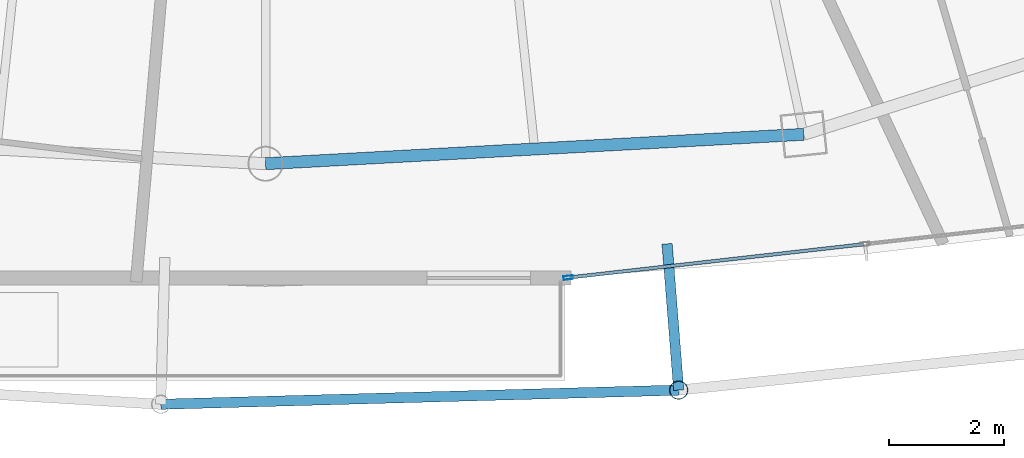
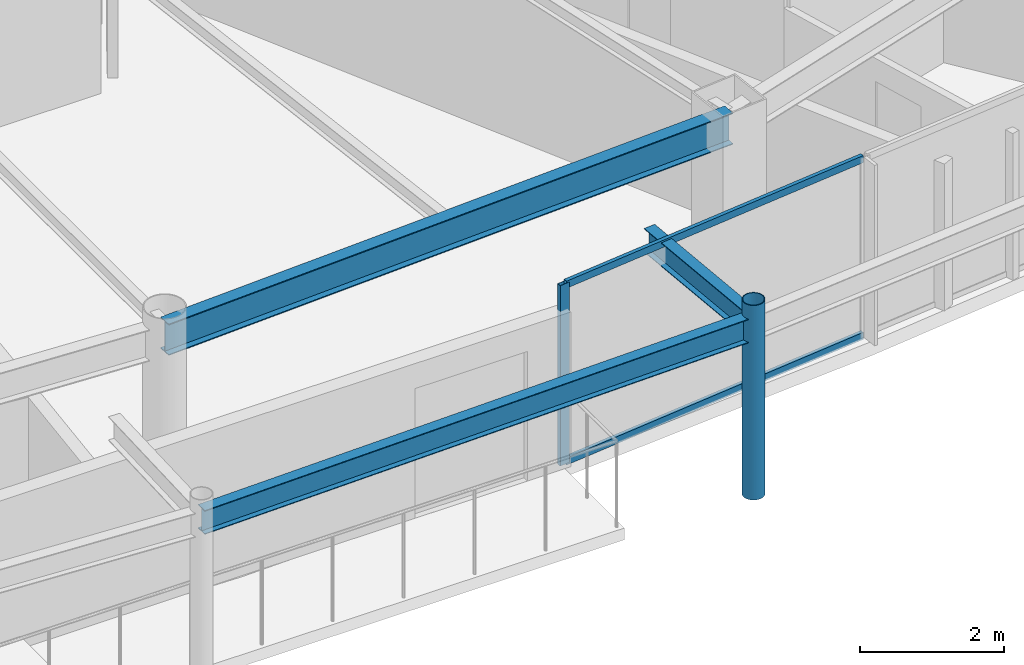
# One storey, part 8 of 32: 4 members, 3 beams, 1 element without a shape of its own.
"""IFC4 building model written with IfcOpenShell, lengths in metres."""

from ifc_helpers import new_model, si_unit, direction, frame, origin, origin_2d, place, context, subcontext, project, spatial, hollow_rectangle, hollow_circle, i_section, extrude, material, layer, layer_set, material_profile, profile_set, type_object, element, aggregate, save


model = new_model("IFC4")

# Units and contexts
model_context = context("Model", 3, precision=1e-05, world=origin(), true_north=direction((0.0, 1.0)))
body_context = subcontext(model_context, "Body", "Model", "MODEL_VIEW")
ifc_project = project(units=[si_unit("LENGTHUNIT", "METRE"), si_unit("AREAUNIT", "SQUARE_METRE"), si_unit("VOLUMEUNIT", "CUBIC_METRE"), si_unit("PLANEANGLEUNIT", "RADIAN"), si_unit("MASSUNIT", "GRAM", prefix="KILO")], contexts=[model_context])

# Site, building, storey
site_placement = place(None, origin())
site = spatial("IfcSite", under=ifc_project, at=site_placement, CompositionType="ELEMENT")
building_placement = place(site_placement, origin())
building = spatial("IfcBuilding", under=site, at=building_placement, Name="Orvanel Arch Residences", CompositionType="ELEMENT")
storey_placement = place(building_placement, frame((0.0, 0.0, 216.199951171875)))
storey = spatial("IfcBuildingStorey", under=building, at=storey_placement, Name="L61", CompositionType="ELEMENT", Elevation=216.199951171875)

# Curtain wall, member
ifc_material_1 = material(Name="Bronze-anodised aluminium AA6063-T6", Category="aluminium")
ifc_layer = layer(ifc_material_1, 0.175048828125)
ifc_layer_set = layer_set([ifc_layer], Name="Bronze-anodised aluminium AA6063-T6")
curtain_wall_type = type_object("IfcCurtainWallType", Name="CW4-HI-SYS", PredefinedType="NOTDEFINED", material=ifc_layer_set)
curtain_wall_placement = place(storey_placement, origin())
curtain_wall = element("IfcCurtainWall", 1, at=curtain_wall_placement, inside=storey, type_object=curtain_wall_type, Name="L61 CW4-HI-SYS Unitised Curtain Wall", PredefinedType="NOTDEFINED")
ifc_material_profile_1 = material_profile(ifc_material_1, hollow_rectangle(XDim=0.06494140625, YDim=0.159912109375, WallThickness=0.00390625, at=origin_2d()), Name="ALU160x65x4")
ifc_profile_set_1 = profile_set([ifc_material_profile_1], Name="Bronze-anodised aluminium AA6063-T6")
member_type_1 = type_object("IfcMemberType", Name="MUL-160x65", PredefinedType="MULLION", material=ifc_profile_set_1)
member_1_placement = place(storey_placement, frame((38.25830078125, 4.86474609375, 0.0), z_axis=(0.0, 0.0, 1.0), x_axis=(-0.112279844711, 0.993676625705, 0.0)))
member_1 = element("IfcMember", 2, at=member_1_placement, type_object=member_type_1, Name="CW-S4 mullion 1", PredefinedType="MULLION", context=body_context, shape_type="SweptSolid", body=[
    extrude(hollow_rectangle(XDim=0.06494140625, YDim=0.159912109375, WallThickness=0.00390625, at=origin_2d()), origin(), (0.0, 0.0, 1.0), 3.06005859375),
])

# Beams
ifc_material_2 = material(Name="Structural steel AS/NZS 3679.1 Grade 300 (300 MPa)", Category="steel")
ifc_material_profile_2 = material_profile(ifc_material_2, i_section(OverallWidth=0.177978515625, OverallDepth=0.406005859375, WebThickness=0.0078125, FlangeThickness=0.0126953125, at=origin_2d()), Name="410UB59.7")
ifc_profile_set_2 = profile_set([ifc_material_profile_2], Name="Structural steel AS/NZS 3679.1 Grade 300 (300 MPa)")
beam_type_1 = type_object("IfcBeamType", Name="OB-410UB-EXT", PredefinedType="SPANDREL", material=ifc_profile_set_2)
beam_1_placement = place(storey_placement, frame((31.177978515625, 2.6640625, 2.85693359375), z_axis=(0.999627190585, 0.027303476753, 0.0), x_axis=(-0.027303476753, 0.999627190585, 0.0)))
element("IfcBeam", 3, at=beam_1_placement, inside=storey, type_object=beam_type_1, Name="L61 Outer Perimeter Floor Ring Beam 06", PredefinedType="SPANDREL", context=body_context, shape_type="SweptSolid", body=[
    extrude(i_section(OverallWidth=0.177978515625, OverallDepth=0.406005859375, WebThickness=0.0078125, FlangeThickness=0.0126953125, at=origin_2d()), origin(), (0.0, 0.0, 1.0), 9.00439453125),
])
beam_2_placement = place(storey_placement, frame((39.97705078125, 5.451904296875, 2.85693359375), z_axis=(0.079178218795, -0.99686047653, 0.0), x_axis=(0.99686047653, 0.079178218795, 0.0)))
element("IfcBeam", 4, at=beam_2_placement, inside=storey, type_object=beam_type_1, Name="L61 Outer Frame Radial Tie Beam 07", PredefinedType="SPANDREL", context=body_context, shape_type="SweptSolid", body=[
    extrude(i_section(OverallWidth=0.177978515625, OverallDepth=0.406005859375, WebThickness=0.0078125, FlangeThickness=0.0126953125, at=origin_2d()), origin(), (0.0, 0.0, 1.0), 2.550048828125),
])
ifc_material_profile_3 = material_profile(ifc_material_2, i_section(OverallWidth=0.208984375, OverallDepth=0.532958984375, WebThickness=0.01025390625, FlangeThickness=0.015625, at=origin_2d()), Name="530UB92.4")
ifc_profile_set_3 = profile_set([ifc_material_profile_3], Name="Structural steel AS/NZS 3679.1 Grade 300 (300 MPa)")
beam_type_2 = type_object("IfcBeamType", Name="SP-530UB", PredefinedType="SPANDREL", material=ifc_profile_set_3)
beam_3_placement = place(storey_placement, frame((33.0, 6.843994140625, 2.79296875), z_axis=(0.998510315598, 0.054563262768, 0.0), x_axis=(-0.054563262768, 0.998510315598, 0.0)))
element("IfcBeam", 5, at=beam_3_placement, inside=storey, type_object=beam_type_2, Name="L61 Perimeter Spandrel Beam 04", PredefinedType="SPANDREL", context=body_context, shape_type="SweptSolid", body=[
    extrude(i_section(OverallWidth=0.208984375, OverallDepth=0.532958984375, WebThickness=0.01025390625, FlangeThickness=0.015625, at=origin_2d()), origin(), (0.0, 0.0, 1.0), 9.364990234375),
])

# Member
ifc_material_3 = material(Name="Structural steel AS/NZS 1163 C350L0 (Grade 350)", Category="steel")
ifc_material_profile_4 = material_profile(ifc_material_3, hollow_circle(Radius=0.162109375, WallThickness=0.0126953125, at=origin_2d()), Name="CHS324x12.7")
ifc_profile_set_4 = profile_set([ifc_material_profile_4], Name="Structural steel AS/NZS 1163 C350L0 (Grade 350)")
member_type_2 = type_object("IfcMemberType", Name="ST-324CHS-EXT", PredefinedType="STRUT", material=ifc_profile_set_4)
member_2_placement = place(storey_placement, frame((40.178955078125, 2.909912109375, 0.0), z_axis=(0.0, 0.0, 1.0), x_axis=(1.0, 0.0, 0.0)))
element("IfcMember", 6, at=member_2_placement, inside=storey, type_object=member_type_2, Name="L61 Outer Perimeter Frame Post 07", PredefinedType="STRUT", context=body_context, shape_type="SweptSolid", body=[
    extrude(hollow_circle(Radius=0.162109375, WallThickness=0.0126953125, at=origin_2d()), origin(), (0.0, 0.0, 1.0), 3.300048828125),
])

ifc_material_profile_5 = material_profile(ifc_material_1, hollow_rectangle(XDim=0.06005859375, YDim=0.1201171875, WallThickness=0.00341796875, at=origin_2d()), Name="ALU120x60x3.5")
ifc_profile_set_5 = profile_set([ifc_material_profile_5], Name="Bronze-anodised aluminium AA6063-T6")
member_type_3 = type_object("IfcMemberType", Name="TRN-120x60", PredefinedType="USERDEFINED", material=ifc_profile_set_5)
member_3_placement = place(storey_placement, frame((38.29052734375, 4.868408203125, 0.030029296875), z_axis=(0.993677646076, 0.112270814061, 0.0), x_axis=(-0.112270814061, 0.993677646076, 0.0)))
member_3 = element("IfcMember", 7, at=member_3_placement, type_object=member_type_3, Name="CW-S4 transom 1.1", ObjectType="TRANSOM", PredefinedType="USERDEFINED", context=body_context, shape_type="SweptSolid", body=[
    extrude(hollow_rectangle(XDim=0.06005859375, YDim=0.1201171875, WallThickness=0.00341796875, at=origin_2d()), origin(), (0.0, 0.0, 1.0), 5.127685546875),
])

member_4_placement = place(storey_placement, frame((38.29052734375, 4.868408203125, 3.030029296875), z_axis=(0.993677646076, 0.112270814061, 0.0), x_axis=(-0.112270814061, 0.993677646076, 0.0)))
member_4 = element("IfcMember", 8, at=member_4_placement, type_object=member_type_3, Name="CW-S4 transom 1.2", ObjectType="TRANSOM", PredefinedType="USERDEFINED", context=body_context, shape_type="SweptSolid", body=[
    extrude(hollow_rectangle(XDim=0.06005859375, YDim=0.1201171875, WallThickness=0.00341796875, at=origin_2d()), origin(), (0.0, 0.0, 1.0), 5.127685546875),
])

aggregate(curtain_wall, [member_1, member_3, member_4])

save(model, "model.ifc")
